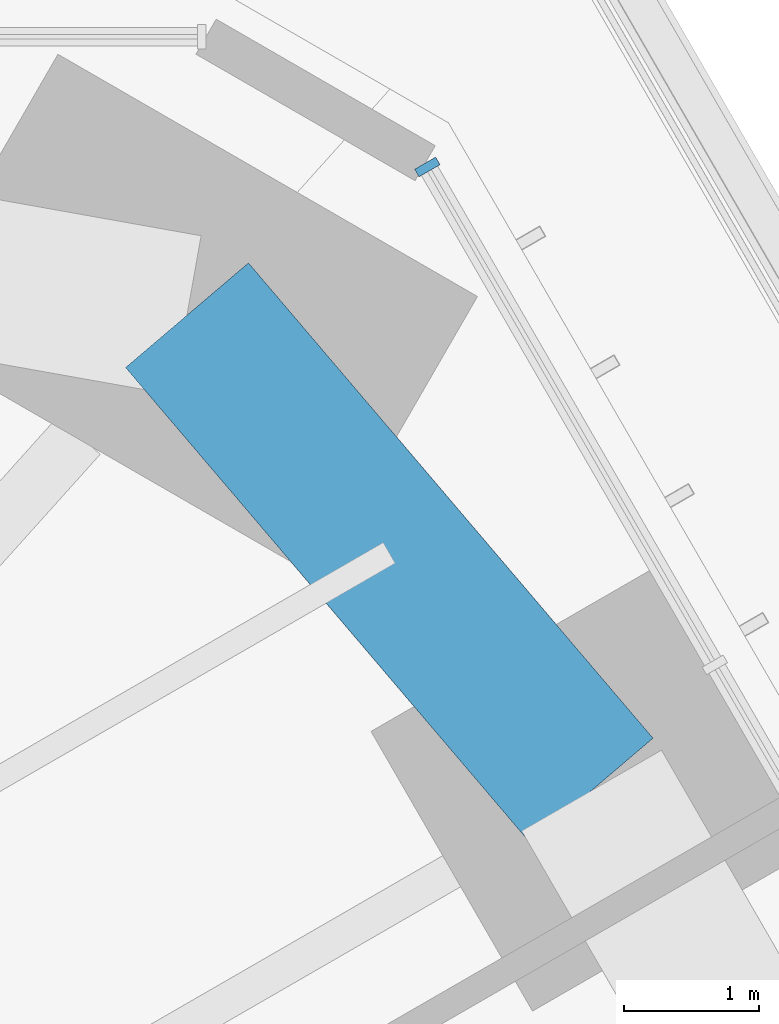
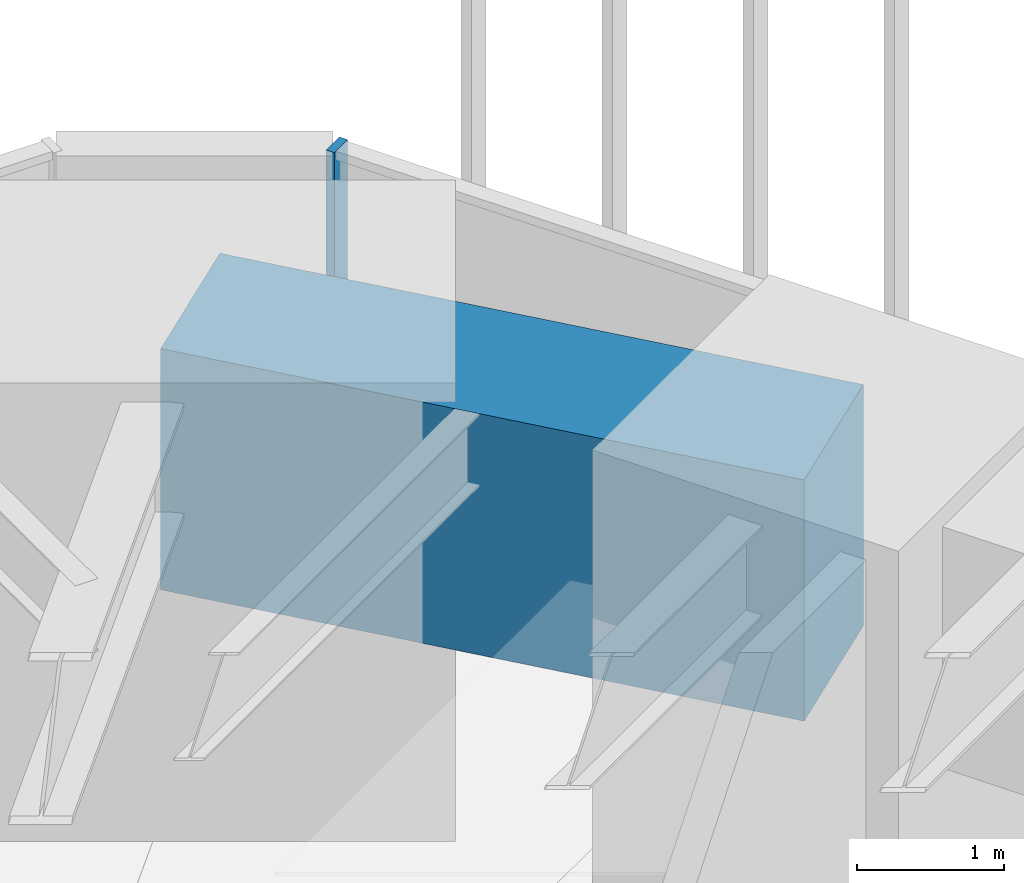
# One storey, part 220 of 238: 1 beam, 1 member, 1 element without a shape of its own.
"""IFC4 building model written with IfcOpenShell, lengths in metres."""

from ifc_helpers import new_model, si_unit, direction, frame, origin, origin_2d, place, context, subcontext, project, spatial, rectangle, extrude, material, material_profile, profile_set, type_object, element, aggregate, save


model = new_model("IFC4")

# Units and contexts
model_context = context("Model", 3, precision=1e-05, world=origin(), true_north=direction((0.0, 1.0)))
body_context = subcontext(model_context, "Body", "Model", "MODEL_VIEW")
ifc_project = project(units=[si_unit("LENGTHUNIT", "METRE"), si_unit("AREAUNIT", "SQUARE_METRE"), si_unit("VOLUMEUNIT", "CUBIC_METRE"), si_unit("PLANEANGLEUNIT", "RADIAN"), si_unit("MASSUNIT", "GRAM", prefix="KILO")], contexts=[model_context])

# Site, building, storey
site_placement = place(None, origin())
site = spatial("IfcSite", under=ifc_project, at=site_placement, CompositionType="ELEMENT")
building_placement = place(site_placement, origin())
building = spatial("IfcBuilding", under=site, at=building_placement, Name="Sandreach Pilgrim Tower", CompositionType="ELEMENT")
storey_placement = place(building_placement, frame((0.0, 0.0, 96.800048828125)))
storey = spatial("IfcBuildingStorey", under=building, at=storey_placement, Name="L23", CompositionType="ELEMENT", Elevation=96.800048828125)

# Curtain wall, member
ifc_material_1 = material(Name="Aluminium framed curtain wall", Category="aluminium")
curtain_wall_type = type_object("IfcCurtainWallType", Name="Hotel tower curtain wall", PredefinedType="NOTDEFINED", material=ifc_material_1)
curtain_wall_placement = place(storey_placement, origin())
curtain_wall = element("IfcCurtainWall", 1, at=curtain_wall_placement, inside=storey, type_object=curtain_wall_type, Name="CW-2 L23 NE", PredefinedType="NOTDEFINED")
ifc_material_2 = material(Name="Aluminium extrusion", Category="aluminium")
ifc_material_profile_1 = material_profile(ifc_material_2, rectangle(XDim=0.06494140625, YDim=0.179931640625, at=origin_2d()), Name="CW-2M 65X180")
ifc_profile_set_1 = profile_set([ifc_material_profile_1], Name="Aluminium extrusion")
member_type = type_object("IfcMemberType", Name="CW-2 mullion", PredefinedType="MULLION", material=ifc_profile_set_1)
member_placement = place(storey_placement, frame((20.125732421875, 21.525634765625, 0.0), z_axis=(0.0, 0.0, 1.0), x_axis=(0.5, -0.866025403784, 0.0)))
member = element("IfcMember", 2, at=member_placement, type_object=member_type, Name="CW-2 mullion 1", PredefinedType="MULLION", context=body_context, shape_type="SweptSolid", body=[
    extrude(rectangle(XDim=0.06494140625, YDim=0.179931640625, at=origin_2d()), origin(), (0.0, 0.0, 1.0), 3.639892578125),
])
aggregate(curtain_wall, [member])

# Beam
ifc_material_3 = material(Name="Concrete 10000 psi", Category="concrete")
ifc_material_profile_2 = material_profile(ifc_material_3, rectangle(XDim=1.199951171875, YDim=2.0, at=origin_2d()), Name="RC1200X2000")
ifc_profile_set_2 = profile_set([ifc_material_profile_2], Name="Concrete 10000 psi")
beam_type = type_object("IfcBeamType", Name="Spandrel beam RC1200X2000", PredefinedType="SPANDREL", material=ifc_profile_set_2)
beam_placement = place(storey_placement, frame((18.33935546875, 20.423828125, 2.639892578125), z_axis=(0.648208888384, -0.761462564425, 0.0), x_axis=(0.761462564425, 0.648208888384, 0.0)))
element("IfcBeam", 3, at=beam_placement, inside=storey, type_object=beam_type, Name="BM L23 SP09", PredefinedType="SPANDREL", context=body_context, shape_type="SweptSolid", body=[
    extrude(rectangle(XDim=1.199951171875, YDim=2.0, at=origin_2d()), origin(), (0.0, 0.0, 1.0), 4.63916015625),
])

save(model, "model.ifc")
